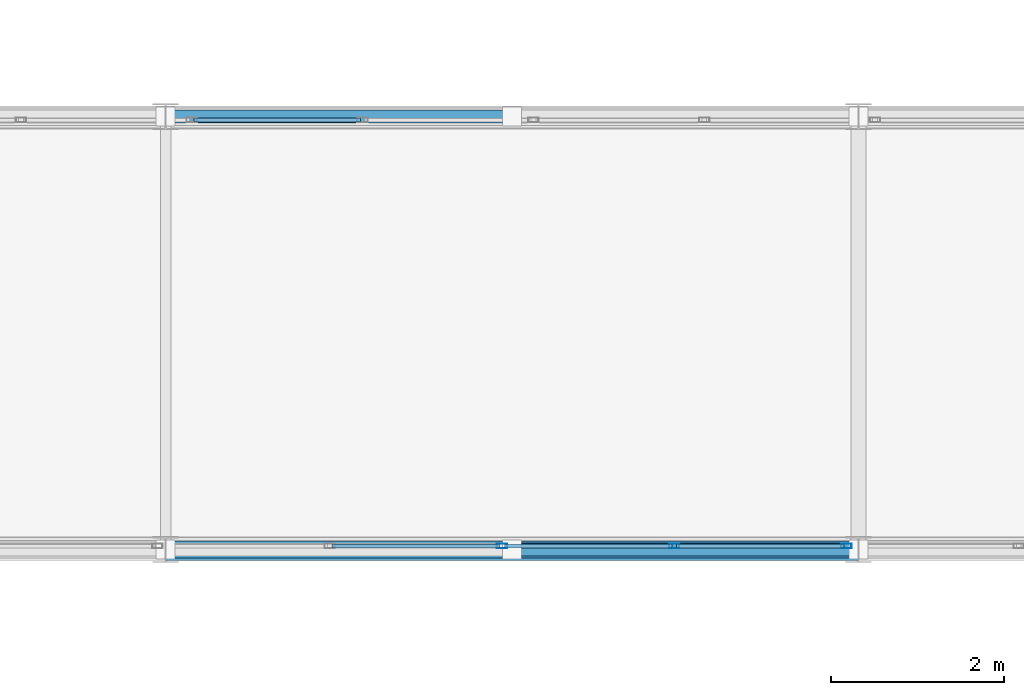
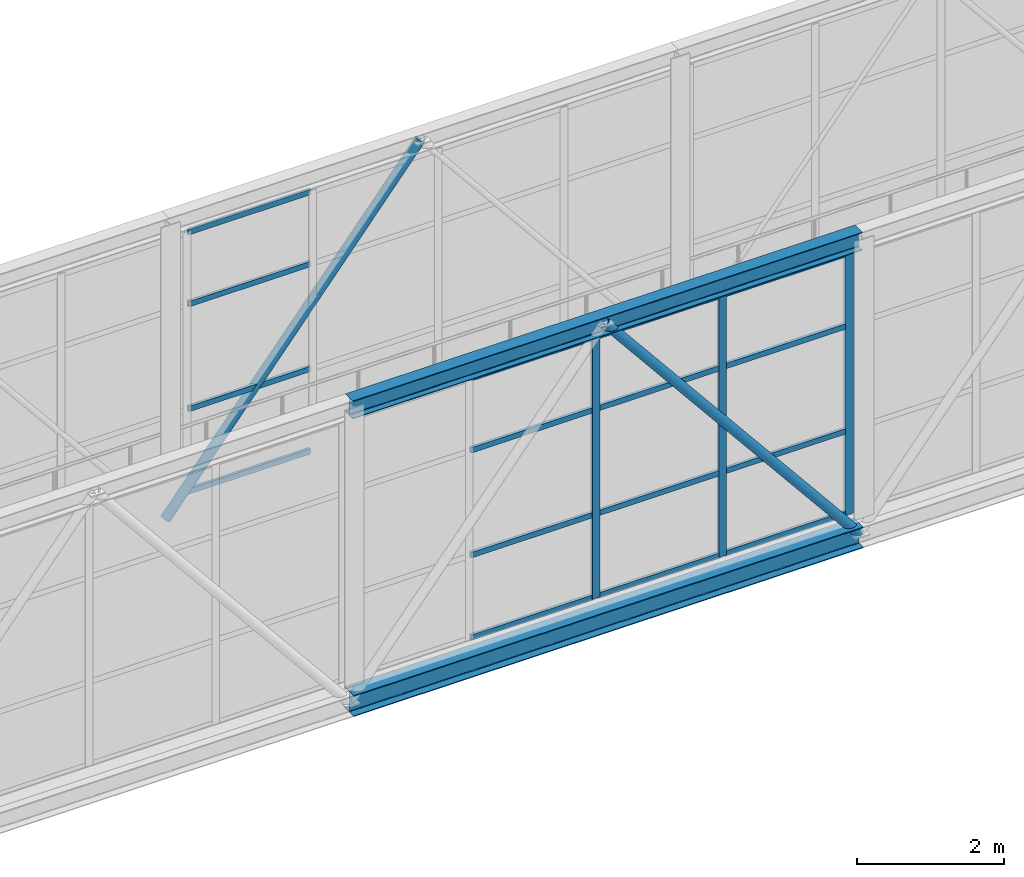
# One storey, part 152 of 248: 23 members, 2 elements without a shape of their own.
"""IFC4 building model written with IfcOpenShell, lengths in metres."""

from ifc_helpers import new_model, si_unit, direction, frame, origin, origin_2d, place, context, subcontext, project, spatial, hollow_rectangle, hollow_circle, i_section, extrude, material, layer, layer_set, material_profile, profile_set, type_object, element, aggregate, save


model = new_model("IFC4")

# Units and contexts
model_context = context("Model", 3, precision=1e-05, world=origin(), true_north=direction((0.0, 1.0)))
body_context = subcontext(model_context, "Body", "Model", "MODEL_VIEW")
ifc_project = project(units=[si_unit("LENGTHUNIT", "METRE"), si_unit("AREAUNIT", "SQUARE_METRE"), si_unit("VOLUMEUNIT", "CUBIC_METRE"), si_unit("PLANEANGLEUNIT", "RADIAN"), si_unit("MASSUNIT", "GRAM", prefix="KILO")], contexts=[model_context])

# Site, building, storey
site_placement = place(None, origin())
site = spatial("IfcSite", under=ifc_project, at=site_placement, CompositionType="ELEMENT")
building_placement = place(site_placement, origin())
building = spatial("IfcBuilding", under=site, at=building_placement, Name="Canggui Botanical Conservatory", CompositionType="ELEMENT")
storey_placement = place(building_placement, frame((0.0, 0.0, 5.39990234375)))
storey = spatial("IfcBuildingStorey", under=building, at=storey_placement, Name="L02", CompositionType="ELEMENT", Elevation=5.39990234375)

# Curtain wall, members
ifc_material_1 = material(Name="Thermally Broken Aluminium", Category="aluminium")
ifc_layer = layer(ifc_material_1, 0.1201171875, Name="Thermally Broken Aluminium", Category="aluminium")
ifc_layer_set = layer_set([ifc_layer], Name="Thermally Broken Aluminium")
curtain_wall_type = type_object("IfcCurtainWallType", Name="CW-STICK-B", PredefinedType="USERDEFINED", material=ifc_layer_set)
curtain_wall_1_placement = place(storey_placement, origin())
curtain_wall_1 = element("IfcCurtainWall", 1, at=curtain_wall_1_placement, inside=storey, type_object=curtain_wall_type, Name="Facade Curtain Wall CW-SB-04-1", ObjectType="STICK GLAZED WALL", PredefinedType="USERDEFINED")
ifc_material_profile_1 = material_profile(ifc_material_1, hollow_rectangle(XDim=0.054931640625, YDim=0.1201171875, WallThickness=0.0029296875, at=origin_2d()), Name="CWM 55x120x3")
ifc_profile_set_1 = profile_set([ifc_material_profile_1], Name="Thermally Broken Aluminium")
member_type_1 = type_object("IfcMemberType", Name="CWM-05", PredefinedType="MULLION", material=ifc_profile_set_1)
member_1_placement = place(storey_placement, frame((85.38427734375, 75.0400390625, 0.0), z_axis=(0.0, 0.0, 1.0), x_axis=(0.0, 1.0, 0.0)))
member_1 = element("IfcMember", 2, at=member_1_placement, type_object=member_type_1, Name="CW-05 mullion 10", PredefinedType="MULLION", context=body_context, shape_type="SweptSolid", body=[
    extrude(hollow_rectangle(XDim=0.054931640625, YDim=0.1201171875, WallThickness=0.0029296875, at=origin_2d()), origin(), (0.0, 0.0, 1.0), 4.35009765625),
])
member_2_placement = place(storey_placement, frame((87.37353515625, 75.0400390625, 0.0), z_axis=(0.0, 0.0, 1.0), x_axis=(0.0, 1.0, 0.0)))
member_2 = element("IfcMember", 3, at=member_2_placement, type_object=member_type_1, Name="CW-05 mullion 11", PredefinedType="MULLION", context=body_context, shape_type="SweptSolid", body=[
    extrude(hollow_rectangle(XDim=0.054931640625, YDim=0.1201171875, WallThickness=0.0029296875, at=origin_2d()), origin(), (0.0, 0.0, 1.0), 4.35009765625),
])
member_3_placement = place(storey_placement, frame((89.36279296875, 75.0400390625, 0.0), z_axis=(0.0, 0.0, 1.0), x_axis=(0.0, 1.0, 0.0)))
member_3 = element("IfcMember", 4, at=member_3_placement, type_object=member_type_1, Name="CW-05 mullion 12", PredefinedType="MULLION", context=body_context, shape_type="SweptSolid", body=[
    extrude(hollow_rectangle(XDim=0.054931640625, YDim=0.1201171875, WallThickness=0.0029296875, at=origin_2d()), origin(), (0.0, 0.0, 1.0), 4.35009765625),
])
ifc_material_profile_2 = material_profile(ifc_material_1, hollow_rectangle(XDim=0.044921875, YDim=0.090087890625, WallThickness=0.0029296875, at=origin_2d()), Name="CWT 45x90x3")
ifc_profile_set_2 = profile_set([ifc_material_profile_2], Name="Thermally Broken Aluminium")
member_type_2 = type_object("IfcMemberType", Name="CWT-05", PredefinedType="USERDEFINED", material=ifc_profile_set_2)
member_4_placement = place(storey_placement, frame((83.42236328125, 75.0400390625, 0.022705078125), z_axis=(1.0, 0.0, 0.0), x_axis=(0.0, 1.0, 0.0)))
member_4 = element("IfcMember", 5, at=member_4_placement, type_object=member_type_2, Name="CW-05 transom 9.1", ObjectType="TRANSOM", PredefinedType="USERDEFINED", context=body_context, shape_type="SweptSolid", body=[
    extrude(hollow_rectangle(XDim=0.044921875, YDim=0.090087890625, WallThickness=0.0029296875, at=origin_2d()), origin(), (0.0, 0.0, 1.0), 1.934326171875),
])
member_5_placement = place(storey_placement, frame((83.42236328125, 75.0400390625, 1.39208984375), z_axis=(1.0, 0.0, 0.0), x_axis=(0.0, 1.0, 0.0)))
member_5 = element("IfcMember", 6, at=member_5_placement, type_object=member_type_2, Name="CW-05 transom 9.2", ObjectType="TRANSOM", PredefinedType="USERDEFINED", context=body_context, shape_type="SweptSolid", body=[
    extrude(hollow_rectangle(XDim=0.044921875, YDim=0.090087890625, WallThickness=0.0029296875, at=origin_2d()), origin(), (0.0, 0.0, 1.0), 1.934326171875),
])
member_6_placement = place(storey_placement, frame((83.42236328125, 75.0400390625, 3.132080078125), z_axis=(1.0, 0.0, 0.0), x_axis=(0.0, 1.0, 0.0)))
member_6 = element("IfcMember", 7, at=member_6_placement, type_object=member_type_2, Name="CW-05 transom 9.3", ObjectType="TRANSOM", PredefinedType="USERDEFINED", context=body_context, shape_type="SweptSolid", body=[
    extrude(hollow_rectangle(XDim=0.044921875, YDim=0.090087890625, WallThickness=0.0029296875, at=origin_2d()), origin(), (0.0, 0.0, 1.0), 1.934326171875),
])
member_7_placement = place(storey_placement, frame((83.42236328125, 75.0400390625, 4.32763671875), z_axis=(1.0, 0.0, 0.0), x_axis=(0.0, 1.0, 0.0)))
member_7 = element("IfcMember", 8, at=member_7_placement, type_object=member_type_2, Name="CW-05 transom 9.4", ObjectType="TRANSOM", PredefinedType="USERDEFINED", context=body_context, shape_type="SweptSolid", body=[
    extrude(hollow_rectangle(XDim=0.044921875, YDim=0.090087890625, WallThickness=0.0029296875, at=origin_2d()), origin(), (0.0, 0.0, 1.0), 1.934326171875),
])
member_8_placement = place(storey_placement, frame((85.41162109375, 75.0400390625, 0.022705078125), z_axis=(1.0, 0.0, 0.0), x_axis=(0.0, 1.0, 0.0)))
member_8 = element("IfcMember", 9, at=member_8_placement, type_object=member_type_2, Name="CW-05 transom 10.1", ObjectType="TRANSOM", PredefinedType="USERDEFINED", context=body_context, shape_type="SweptSolid", body=[
    extrude(hollow_rectangle(XDim=0.044921875, YDim=0.090087890625, WallThickness=0.0029296875, at=origin_2d()), origin(), (0.0, 0.0, 1.0), 1.934326171875),
])
member_9_placement = place(storey_placement, frame((85.41162109375, 75.0400390625, 1.39208984375), z_axis=(1.0, 0.0, 0.0), x_axis=(0.0, 1.0, 0.0)))
member_9 = element("IfcMember", 10, at=member_9_placement, type_object=member_type_2, Name="CW-05 transom 10.2", ObjectType="TRANSOM", PredefinedType="USERDEFINED", context=body_context, shape_type="SweptSolid", body=[
    extrude(hollow_rectangle(XDim=0.044921875, YDim=0.090087890625, WallThickness=0.0029296875, at=origin_2d()), origin(), (0.0, 0.0, 1.0), 1.934326171875),
])
member_10_placement = place(storey_placement, frame((85.41162109375, 75.0400390625, 3.132080078125), z_axis=(1.0, 0.0, 0.0), x_axis=(0.0, 1.0, 0.0)))
member_10 = element("IfcMember", 11, at=member_10_placement, type_object=member_type_2, Name="CW-05 transom 10.3", ObjectType="TRANSOM", PredefinedType="USERDEFINED", context=body_context, shape_type="SweptSolid", body=[
    extrude(hollow_rectangle(XDim=0.044921875, YDim=0.090087890625, WallThickness=0.0029296875, at=origin_2d()), origin(), (0.0, 0.0, 1.0), 1.934326171875),
])
member_11_placement = place(storey_placement, frame((85.41162109375, 75.0400390625, 4.32763671875), z_axis=(1.0, 0.0, 0.0), x_axis=(0.0, 1.0, 0.0)))
member_11 = element("IfcMember", 12, at=member_11_placement, type_object=member_type_2, Name="CW-05 transom 10.4", ObjectType="TRANSOM", PredefinedType="USERDEFINED", context=body_context, shape_type="SweptSolid", body=[
    extrude(hollow_rectangle(XDim=0.044921875, YDim=0.090087890625, WallThickness=0.0029296875, at=origin_2d()), origin(), (0.0, 0.0, 1.0), 1.934326171875),
])
member_12_placement = place(storey_placement, frame((87.401123046875, 75.0400390625, 0.022705078125), z_axis=(1.0, 0.0, 0.0), x_axis=(0.0, 1.0, 0.0)))
member_12 = element("IfcMember", 13, at=member_12_placement, type_object=member_type_2, Name="CW-05 transom 11.1", ObjectType="TRANSOM", PredefinedType="USERDEFINED", context=body_context, shape_type="SweptSolid", body=[
    extrude(hollow_rectangle(XDim=0.044921875, YDim=0.090087890625, WallThickness=0.0029296875, at=origin_2d()), origin(), (0.0, 0.0, 1.0), 1.934326171875),
])
member_13_placement = place(storey_placement, frame((87.401123046875, 75.0400390625, 1.39208984375), z_axis=(1.0, 0.0, 0.0), x_axis=(0.0, 1.0, 0.0)))
member_13 = element("IfcMember", 14, at=member_13_placement, type_object=member_type_2, Name="CW-05 transom 11.2", ObjectType="TRANSOM", PredefinedType="USERDEFINED", context=body_context, shape_type="SweptSolid", body=[
    extrude(hollow_rectangle(XDim=0.044921875, YDim=0.090087890625, WallThickness=0.0029296875, at=origin_2d()), origin(), (0.0, 0.0, 1.0), 1.934326171875),
])
member_14_placement = place(storey_placement, frame((87.401123046875, 75.0400390625, 3.132080078125), z_axis=(1.0, 0.0, 0.0), x_axis=(0.0, 1.0, 0.0)))
member_14 = element("IfcMember", 15, at=member_14_placement, type_object=member_type_2, Name="CW-05 transom 11.3", ObjectType="TRANSOM", PredefinedType="USERDEFINED", context=body_context, shape_type="SweptSolid", body=[
    extrude(hollow_rectangle(XDim=0.044921875, YDim=0.090087890625, WallThickness=0.0029296875, at=origin_2d()), origin(), (0.0, 0.0, 1.0), 1.934326171875),
])
member_15_placement = place(storey_placement, frame((87.401123046875, 75.0400390625, 4.32763671875), z_axis=(1.0, 0.0, 0.0), x_axis=(0.0, 1.0, 0.0)))
member_15 = element("IfcMember", 16, at=member_15_placement, type_object=member_type_2, Name="CW-05 transom 11.4", ObjectType="TRANSOM", PredefinedType="USERDEFINED", context=body_context, shape_type="SweptSolid", body=[
    extrude(hollow_rectangle(XDim=0.044921875, YDim=0.090087890625, WallThickness=0.0029296875, at=origin_2d()), origin(), (0.0, 0.0, 1.0), 1.934326171875),
])
aggregate(curtain_wall_1, [member_1, member_2, member_3, member_4, member_5, member_6, member_7, member_8, member_9, member_10, member_11, member_12, member_13, member_14, member_15])

curtain_wall_2_placement = place(storey_placement, origin())
curtain_wall_2 = element("IfcCurtainWall", 17, at=curtain_wall_2_placement, inside=storey, type_object=curtain_wall_type, Name="Facade Curtain Wall CW-SB-04-2", ObjectType="STICK GLAZED WALL", PredefinedType="USERDEFINED")
member_16_placement = place(storey_placement, frame((81.830078125, 79.9599609375, 0.022705078125), z_axis=(1.0, 0.0, 0.0), x_axis=(0.0, 1.0, 0.0)))
member_16 = element("IfcMember", 18, at=member_16_placement, type_object=member_type_2, Name="CW-05 transom 9.1", ObjectType="TRANSOM", PredefinedType="USERDEFINED", context=body_context, shape_type="SweptSolid", body=[
    extrude(hollow_rectangle(XDim=0.044921875, YDim=0.090087890625, WallThickness=0.0029296875, at=origin_2d()), origin(), (0.0, 0.0, 1.0), 1.917724609375),
])
member_17_placement = place(storey_placement, frame((81.830078125, 79.9599609375, 1.39208984375), z_axis=(1.0, 0.0, 0.0), x_axis=(0.0, 1.0, 0.0)))
member_17 = element("IfcMember", 19, at=member_17_placement, type_object=member_type_2, Name="CW-05 transom 9.2", ObjectType="TRANSOM", PredefinedType="USERDEFINED", context=body_context, shape_type="SweptSolid", body=[
    extrude(hollow_rectangle(XDim=0.044921875, YDim=0.090087890625, WallThickness=0.0029296875, at=origin_2d()), origin(), (0.0, 0.0, 1.0), 1.917724609375),
])
member_18_placement = place(storey_placement, frame((81.830078125, 79.9599609375, 3.132080078125), z_axis=(1.0, 0.0, 0.0), x_axis=(0.0, 1.0, 0.0)))
member_18 = element("IfcMember", 20, at=member_18_placement, type_object=member_type_2, Name="CW-05 transom 9.3", ObjectType="TRANSOM", PredefinedType="USERDEFINED", context=body_context, shape_type="SweptSolid", body=[
    extrude(hollow_rectangle(XDim=0.044921875, YDim=0.090087890625, WallThickness=0.0029296875, at=origin_2d()), origin(), (0.0, 0.0, 1.0), 1.917724609375),
])
member_19_placement = place(storey_placement, frame((81.830078125, 79.9599609375, 4.32763671875), z_axis=(1.0, 0.0, 0.0), x_axis=(0.0, 1.0, 0.0)))
member_19 = element("IfcMember", 21, at=member_19_placement, type_object=member_type_2, Name="CW-05 transom 9.4", ObjectType="TRANSOM", PredefinedType="USERDEFINED", context=body_context, shape_type="SweptSolid", body=[
    extrude(hollow_rectangle(XDim=0.044921875, YDim=0.090087890625, WallThickness=0.0029296875, at=origin_2d()), origin(), (0.0, 0.0, 1.0), 1.917724609375),
])
aggregate(curtain_wall_2, [member_16, member_17, member_18, member_19])

# Members
ifc_material_2 = material(Name="Steel Q355C", Category="steel")
ifc_material_profile_3 = material_profile(ifc_material_2, hollow_circle(Radius=0.075927734375, WallThickness=0.006103515625, at=origin_2d()), Name="CHS 152x6")
ifc_profile_set_3 = profile_set([ifc_material_profile_3], Name="Steel Q355C")
member_type_3 = type_object("IfcMemberType", Name="MEM-GSD04", PredefinedType="RAFTER", material=ifc_profile_set_3)
for number, where, z_axis, x_axis, name in (
    (22, (85.5, 75.0, 4.550048828125), (0.632384053133, 0.0, -0.774655026024), (0.0, 1.0, 0.0), "SB-04 Truss Web Rafter 1.4B"),
    (23, (81.5, 80.0, -0.349853515625), (0.632384053133, 0.0, 0.774655026024), (0.0, 1.0, 0.0), "SB-04 Truss Web Rafter 2.4A"),
):
    element("IfcMember", number, at=place(storey_placement, frame(where, z_axis=z_axis, x_axis=x_axis)), inside=storey, type_object=member_type_3, Name=name, PredefinedType="RAFTER", context=body_context, shape_type="SweptSolid", body=[
        extrude(hollow_circle(Radius=0.075927734375, WallThickness=0.006103515625, at=origin_2d()), origin(), (0.0, 0.0, 1.0), 6.3251953125),
    ])
ifc_material_3 = material(Name="Steel Q355B", Category="steel")
ifc_material_profile_4 = material_profile(ifc_material_3, i_section(OverallWidth=0.25, OverallDepth=0.35009765625, WebThickness=0.009033203125, FlangeThickness=0.013916015625, FilletRadius=0.02001953125, at=origin_2d()), Name="HM 350x250x9x14")
ifc_profile_set_4 = profile_set([ifc_material_profile_4], Name="Steel Q355B")
member_type_4 = type_object("IfcMemberType", Name="MEM-TC03", PredefinedType="CHORD", material=ifc_profile_set_4)
member_20_placement = place(storey_placement, frame((81.5, 75.0, -0.349853515625), z_axis=(1.0, 0.0, 0.0), x_axis=(0.0, 1.0, 0.0)))
element("IfcMember", 24, at=member_20_placement, inside=storey, type_object=member_type_4, Name="SB-04 Deck Truss Bottom Chord 1.4", PredefinedType="CHORD", context=body_context, shape_type="SweptSolid", body=[
    extrude(i_section(OverallWidth=0.25, OverallDepth=0.35009765625, WebThickness=0.009033203125, FlangeThickness=0.013916015625, FilletRadius=0.02001953125, at=origin_2d()), origin(), (0.0, 0.0, 1.0), 8.0),
])
ifc_material_profile_5 = material_profile(ifc_material_3, i_section(OverallWidth=0.199951171875, OverallDepth=0.300048828125, WebThickness=0.008056640625, FlangeThickness=0.011962890625, FilletRadius=0.01806640625, at=origin_2d()), Name="HM 300x200x8x12")
ifc_profile_set_5 = profile_set([ifc_material_profile_5], Name="Steel Q355B")
member_type_5 = type_object("IfcMemberType", Name="MEM-TC04", PredefinedType="CHORD", material=ifc_profile_set_5)
member_21_placement = place(storey_placement, frame((81.5, 75.0, 4.550048828125), z_axis=(1.0, 0.0, 0.0), x_axis=(0.0, 1.0, 0.0)))
element("IfcMember", 25, at=member_21_placement, inside=storey, type_object=member_type_5, Name="SB-04 Roof Truss Top Chord 1.4", PredefinedType="CHORD", context=body_context, shape_type="SweptSolid", body=[
    extrude(i_section(OverallWidth=0.199951171875, OverallDepth=0.300048828125, WebThickness=0.008056640625, FlangeThickness=0.011962890625, FilletRadius=0.01806640625, at=origin_2d()), origin(), (0.0, 0.0, 1.0), 8.0),
])

save(model, "model.ifc")
